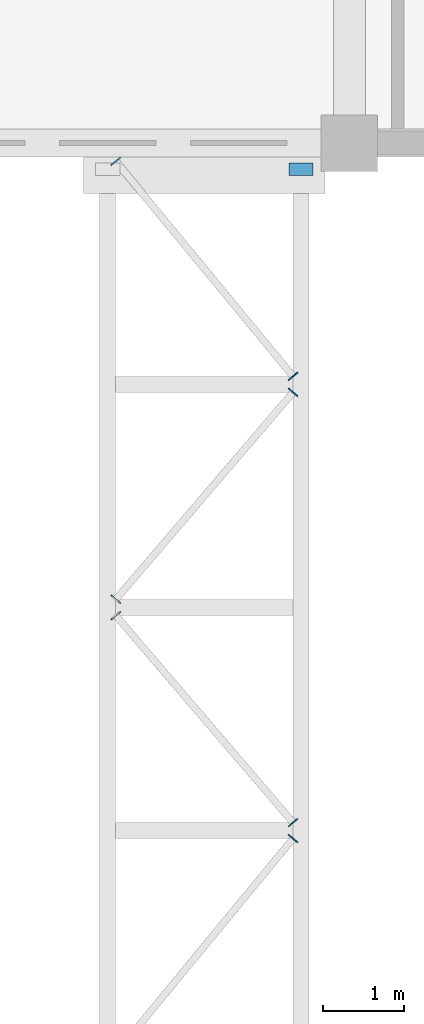
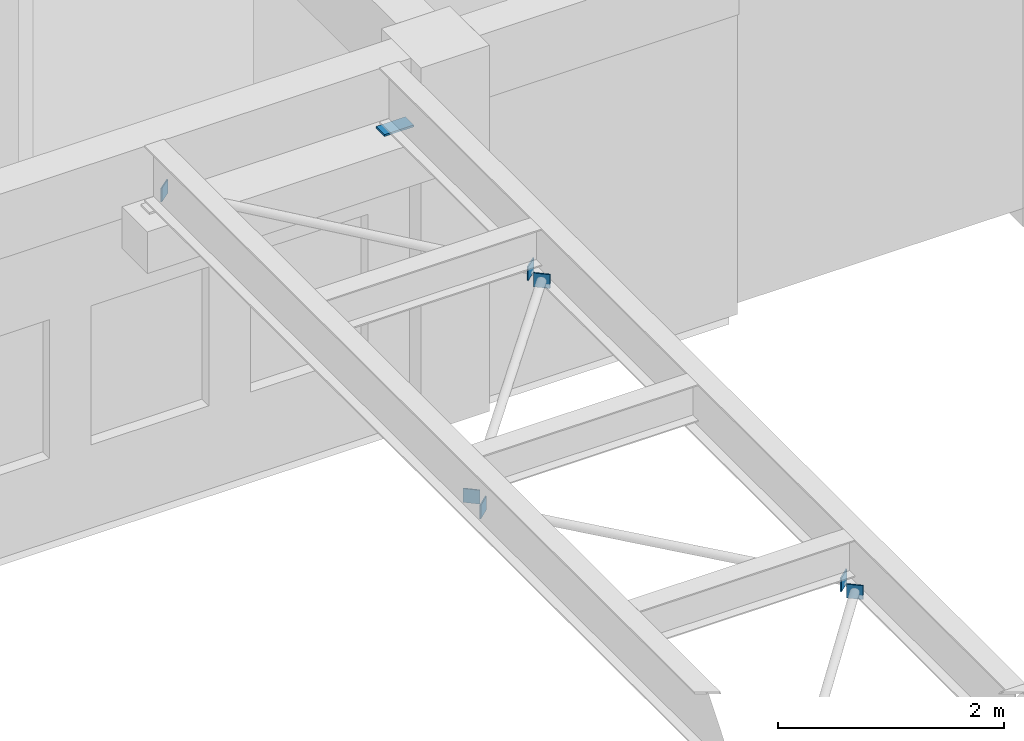
# One storey, part 91 of 103: 8 discrete accessories.
"""IFC4 building model written with IfcOpenShell, lengths in metres."""

from ifc_helpers import new_model, si_unit, direction, frame, origin, origin_2d, place, context, subcontext, project, spatial, rectangle, extrude, material, material_profile, profile_set, type_object, element, save


model = new_model("IFC4")

# Units and contexts
model_context = context("Model", 3, precision=1e-05, world=origin(), true_north=direction((0.0, 1.0)))
body_context = subcontext(model_context, "Body", "Model", "MODEL_VIEW")
ifc_project = project(units=[si_unit("LENGTHUNIT", "METRE"), si_unit("AREAUNIT", "SQUARE_METRE"), si_unit("VOLUMEUNIT", "CUBIC_METRE"), si_unit("PLANEANGLEUNIT", "RADIAN"), si_unit("MASSUNIT", "GRAM", prefix="KILO")], contexts=[model_context])

# Site, building, storey
site_placement = place(None, origin())
site = spatial("IfcSite", under=ifc_project, at=site_placement, CompositionType="ELEMENT")
building_placement = place(site_placement, origin())
building = spatial("IfcBuilding", under=site, at=building_placement, Name="Laocheng Heights Fire and Rescue Headquarters", CompositionType="ELEMENT")
storey_placement = place(building_placement, frame((0.0, 0.0, 4.199951171875)))
storey = spatial("IfcBuildingStorey", under=building, at=storey_placement, Name="L01", CompositionType="ELEMENT", Elevation=4.199951171875)

# Discrete accessories
ifc_material_1 = material(Name="Steel Q355B, dark grey painted", Category="steel")
ifc_material_profile_1 = material_profile(ifc_material_1, rectangle(XDim=0.14990234375, YDim=0.14990234375, at=origin_2d()), Name="GUSSET PLATE 150 x 150 x 12 FOR STEEL BRIDGE PLAN BRACE CHS 88.9x5")
ifc_profile_set_1 = profile_set([ifc_material_profile_1], Name="Steel Q355B, dark grey painted")
discrete_accessory_type_1 = type_object("IfcDiscreteAccessoryType", Name="GUSSET PLATE 150 x 150 x 12 FOR STEEL BRIDGE PLAN BRACE CHS 88.9x5", PredefinedType="BRACKET", material=ifc_profile_set_1)
for number, where, z_axis, x_axis, name in (
    (1, (93.105224609375, 30.13134765625, 3.4443359375), (-0.654151932932, 0.756363172452, 0.0), (-0.756363172452, -0.654151932932, 0.0), "End plate at M2-Q end 2"),
    (2, (93.097412109375, 30.33447265625, 3.4443359375), (0.654151932932, 0.756363172452, 0.0), (-0.756363172452, 0.654151932932, 0.0), "End plate at M2-Q end 1"),
    (3, (93.10498046875, 35.768798828125, 3.4443359375), (-0.632126727472, 0.774865020772, 0.0), (-0.774865020772, -0.632126727472, 0.0), "End plate at M2-Q end 2"),
):
    element("IfcDiscreteAccessory", number, at=place(storey_placement, frame(where, z_axis=z_axis, x_axis=x_axis)), inside=storey, type_object=discrete_accessory_type_1, Name=name, PredefinedType="BRACKET", context=body_context, shape_type="SweptSolid", body=[
        extrude(rectangle(XDim=0.14990234375, YDim=0.14990234375, at=origin_2d()), origin(), (0.0, 0.0, 1.0), 0.011962890625),
    ])
ifc_material_2 = material(Name="Steel Q355B, dark grey painted", Category="steel")
ifc_material_profile_2 = material_profile(ifc_material_2, rectangle(XDim=0.14990234375, YDim=0.14990234375, at=origin_2d()), Name="GUSSET PLATE 150 x 150 x 13 FOR STEEL BRIDGE PLAN BRACE CHS 88.9x5")
ifc_profile_set_2 = profile_set([ifc_material_profile_2], Name="Steel Q355B, dark grey painted")
discrete_accessory_type_2 = type_object("IfcDiscreteAccessoryType", Name="GUSSET PLATE 150 x 150 x 13 FOR STEEL BRIDGE PLAN BRACE CHS 88.9x5", PredefinedType="BRACKET", material=ifc_profile_set_2)
discrete_accessory_1_placement = place(storey_placement, frame((95.296142578125, 27.364013671875, 3.4443359375), z_axis=(0.638335869595, 0.769757960393, 0.0), x_axis=(-0.769757960393, 0.638335869595, 0.0)))
element("IfcDiscreteAccessory", 4, at=discrete_accessory_1_placement, inside=storey, type_object=discrete_accessory_type_2, Name="End plate at M2-Q end 2", PredefinedType="BRACKET", context=body_context, shape_type="SweptSolid", body=[
    extrude(rectangle(XDim=0.14990234375, YDim=0.14990234375, at=origin_2d()), origin(), (0.0, 0.0, 1.0), 0.012939453125),
])
for number, where, z_axis, x_axis, name in (
    (5, (95.3046875, 27.5634765625, 3.4443359375), (-0.649262379928, 0.760564502202, 0.0), (-0.760564502202, -0.649262379928, 0.0), "End plate at M2-Q end 1"),
    (6, (95.296142578125, 32.901611328125, 3.4443359375), (0.649262379928, 0.760564502202, 0.0), (-0.760564502202, 0.649262379928, 0.0), "End plate at M2-Q end 2"),
):
    element("IfcDiscreteAccessory", number, at=place(storey_placement, frame(where, z_axis=z_axis, x_axis=x_axis)), inside=storey, type_object=discrete_accessory_type_2, Name=name, PredefinedType="BRACKET", context=body_context, shape_type="SweptSolid", body=[
        extrude(rectangle(XDim=0.14990234375, YDim=0.14990234375, at=origin_2d()), origin(), (0.0, 0.0, 1.0), 0.01318359375),
    ])
discrete_accessory_2_placement = place(storey_placement, frame((95.304443359375, 33.100830078125, 3.4443359375), z_axis=(-0.638335869595, 0.769757960393, 0.0), x_axis=(-0.769757960393, -0.638335869595, 0.0)))
element("IfcDiscreteAccessory", 7, at=discrete_accessory_2_placement, inside=storey, type_object=discrete_accessory_type_2, Name="End plate at M2-Q end 1", PredefinedType="BRACKET", context=body_context, shape_type="SweptSolid", body=[
    extrude(rectangle(XDim=0.14990234375, YDim=0.14990234375, at=origin_2d()), origin(), (0.0, 0.0, 1.0), 0.012939453125),
])
ifc_material_3 = material(Name="PTFE on stainless steel plate", Category="steel")
discrete_accessory_type_3 = type_object("IfcDiscreteAccessoryType", Name="SLIDING BEARING PAD 150 x 300 x 20", PredefinedType="SHOE", material=ifc_material_3)
discrete_accessory_3_placement = place(storey_placement, frame((95.39990234375, 35.675048828125, 3.380126953125), z_axis=(0.0, 0.0, 1.0), x_axis=(1.0, 0.0, 0.0)))
element("IfcDiscreteAccessory", 8, at=discrete_accessory_3_placement, inside=storey, type_object=discrete_accessory_type_3, Name="Sliding bearing pad B4", PredefinedType="SHOE", context=body_context, shape_type="SweptSolid", body=[
    extrude(rectangle(XDim=0.300048828125, YDim=0.14990234375, at=origin_2d()), origin(), (0.0, 0.0, 1.0), 0.02001953125),
])

save(model, "model.ifc")
